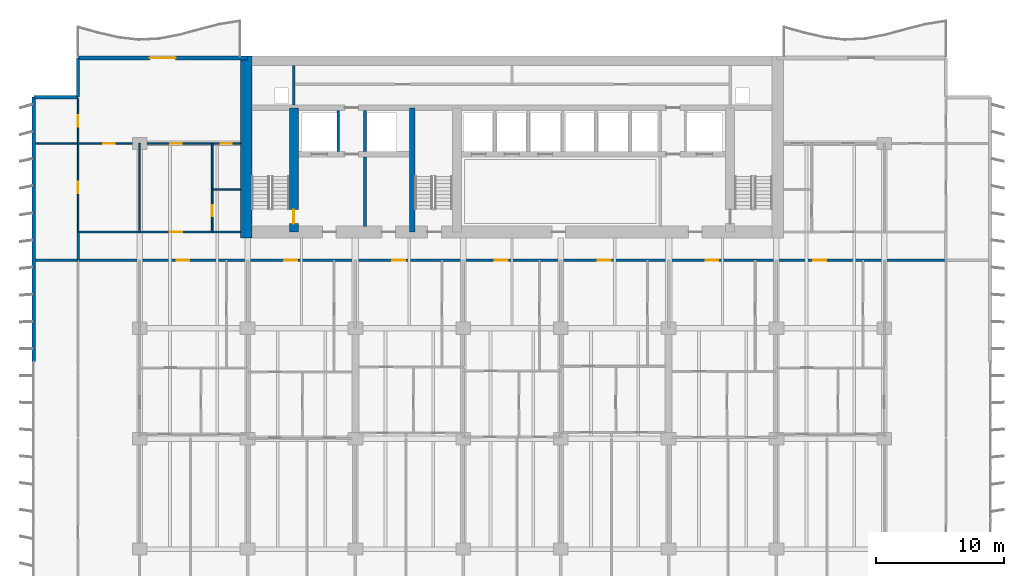
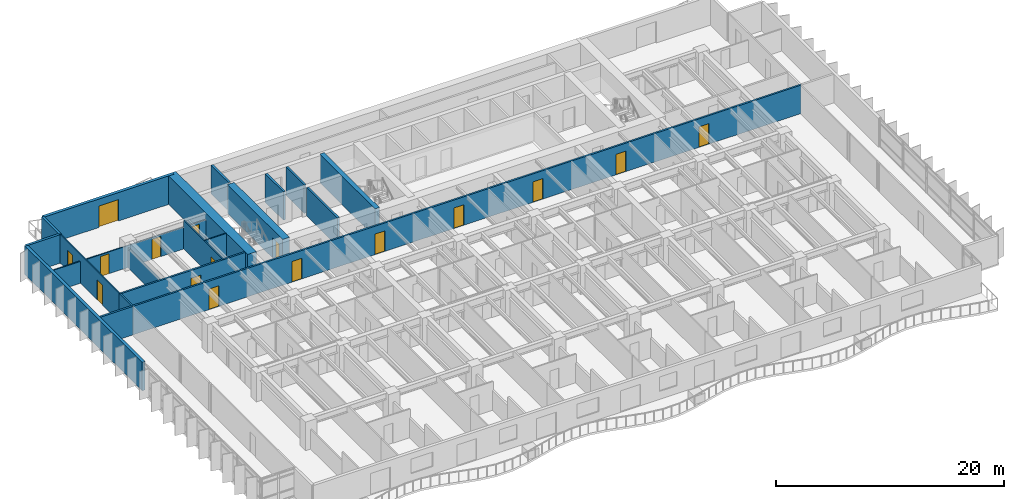
# One storey, part 11 of 18: 20 walls, 16 doors, 16 openings.
"""IFC4 building model written with IfcOpenShell, lengths in metres."""

from ifc_helpers import new_model, si_unit, direction, frame, frame_2d, origin, place, context, subcontext, project, spatial, rectangle, extrude, material, layer, layer_set, type_object, element, fill, save


model = new_model("IFC4")

# Units and contexts
model_context = context("Model", 3, precision=1e-05, world=origin(), true_north=direction((0.0, 1.0)))
body_context = subcontext(model_context, "Body", "Model", "MODEL_VIEW")
ifc_project = project(units=[si_unit("LENGTHUNIT", "METRE"), si_unit("AREAUNIT", "SQUARE_METRE"), si_unit("VOLUMEUNIT", "CUBIC_METRE"), si_unit("PLANEANGLEUNIT", "RADIAN"), si_unit("MASSUNIT", "GRAM", prefix="KILO")], contexts=[model_context])

# Site, building, storey
site_placement = place(None, origin())
site = spatial("IfcSite", under=ifc_project, at=site_placement, CompositionType="ELEMENT")
building_placement = place(site_placement, origin())
building = spatial("IfcBuilding", under=site, at=building_placement, Name="Caelmar Bay Residences", CompositionType="ELEMENT")
storey_placement = place(building_placement, frame((0.0, 0.0, 69.60009765625)))
storey = spatial("IfcBuildingStorey", under=building, at=storey_placement, Name="L18", CompositionType="ELEMENT", Elevation=69.60009765625)

# Wall, opening, door
ifc_material_1 = material(Name="Concrete f'c 55 MPa (8,000 psi)", Category="concrete")
ifc_layer_1 = layer(ifc_material_1, 0.699951171875)
ifc_layer_set_1 = layer_set([ifc_layer_1], Name="Concrete f'c 55 MPa (8,000 psi)")
wall_type_1 = type_object("IfcWallType", Name="SW-COR-700", PredefinedType="SHEAR", material=ifc_layer_set_1)
wall_1_placement = place(storey_placement, frame((21.89990234375, 36.89990234375, 0.0), z_axis=(0.0, 0.0, 1.0), x_axis=(0.0, 1.0, 0.0)))
wall_1 = element("IfcWall", 1, at=wall_1_placement, inside=storey, type_object=wall_type_1, Name="L18 Core Structural Web Wall ST1E", PredefinedType="SHEAR", context=body_context, shape_type="SweptSolid", body=[
    extrude(rectangle(XDim=9.675048828125, YDim=0.699951171875, at=frame_2d((4.83740234375, 0.0))), origin(), (0.0, 0.0, 1.0), 3.0498046875),
])
opening_1_placement = place(wall_1_placement, frame((0.64990234375, 0.0, 0.0)))
opening_1 = element("IfcOpeningElement", 2, at=opening_1_placement, cuts=wall_1, Name="Opening D-L18-108", PredefinedType="OPENING", context=body_context, shape_type="SweptSolid", body=[
    extrude(rectangle(XDim=1.10009765625, YDim=2.14990234375, at=frame_2d((0.550048828125, 1.074951171875))), frame((0.0, 0.35986328125, 0.0), z_axis=(0.0, -1.0, 0.0), x_axis=(1.0, 0.0, 0.0)), (0.0, 0.0, 1.0), 0.719970703125),
])
ifc_material_2 = material(Name="Fire-rated steel and walnut architectural door assembly", Category="steel")
ifc_layer_2 = layer(ifc_material_2, 0.050048828125)
ifc_layer_set_2 = layer_set([ifc_layer_2], Name="Fire-rated steel and walnut architectural door assembly")
door_type_1 = type_object("IfcDoorType", Name="D-STAIR-1100", OperationType="NOTDEFINED", PredefinedType="DOOR", material=ifc_layer_set_2)
door_1_placement = place(opening_1_placement, origin())
door_1 = element("IfcDoor", 3, at=door_1_placement, inside=storey, type_object=door_type_1, Name="L18 Firefighting Lobby West Door", OperationType="SINGLE_SWING_LEFT", OverallHeight=2.14990234375, OverallWidth=1.10009765625, PredefinedType="DOOR", context=body_context, shape_type="SweptSolid", body=[
    extrude(rectangle(XDim=1.10009765625, YDim=2.14990234375, at=frame_2d((0.550048828125, 1.074951171875))), frame((0.0, 0.02490234375, 0.0), z_axis=(0.0, -1.0, 0.0), x_axis=(1.0, 0.0, 0.0)), (0.0, 0.0, 1.0), 0.050048828125),
])
fill(opening_1, door_1)

# Walls
ifc_material_3 = material(Name="Concrete f'c 70 MPa (10,000 psi)", Category="concrete")
ifc_layer_3 = layer(ifc_material_3, 0.89990234375)
ifc_layer_set_3 = layer_set([ifc_layer_3], Name="Concrete f'c 70 MPa (10,000 psi)")
wall_type_2 = type_object("IfcWallType", Name="SW-COR-900", PredefinedType="SHEAR", material=ifc_layer_set_3)
wall_2_placement = place(storey_placement, frame((18.199951171875, 36.449951171875, 0.0), z_axis=(0.0, 0.0, 1.0), x_axis=(0.0, 1.0, 0.0)))
element("IfcWall", 4, at=wall_2_placement, inside=storey, type_object=wall_type_2, Name="L18 Rear Core West Shear Wall", PredefinedType="SHEAR", context=body_context, shape_type="SweptSolid", body=[
    extrude(rectangle(XDim=14.150146484375, YDim=0.89990234375, at=frame_2d((7.0751953125, 0.0))), origin(), (0.0, 0.0, 1.0), 3.0498046875),
])
ifc_layer_4 = layer(ifc_material_3, 0.449951171875)
ifc_layer_set_4 = layer_set([ifc_layer_4], Name="Concrete f'c 70 MPa (10,000 psi)")
wall_type_3 = type_object("IfcWallType", Name="SW-WEB-450", PredefinedType="SHEAR", material=ifc_layer_set_4)
wall_3_placement = place(storey_placement, frame((31.125, 36.89990234375, 0.0), z_axis=(0.0, 0.0, 1.0), x_axis=(0.0, 1.0, 0.0)))
element("IfcWall", 5, at=wall_3_placement, inside=storey, type_object=wall_type_3, Name="L18 Core Structural Web Wall ST3W", PredefinedType="SHEAR", context=body_context, shape_type="SweptSolid", body=[
    extrude(rectangle(XDim=9.675048828125, YDim=0.449951171875, at=frame_2d((4.83740234375, 0.0))), origin(), (0.0, 0.0, 1.0), 3.0498046875),
])
ifc_material_4 = material(Name="Double-stud acoustic fire-rated gypsum partition 180 mm")
ifc_layer_5 = layer(ifc_material_4, 0.179931640625)
ifc_layer_set_5 = layer_set([ifc_layer_5], Name="Double-stud acoustic fire-rated gypsum partition 180 mm")
wall_type_4 = type_object("IfcWallType", Name="W-COR-200", PredefinedType="PARTITIONING", material=ifc_layer_set_5)
wall_4_placement = place(storey_placement, frame((5.10009765625, 34.705078125, 0.0), z_axis=(0.0, 0.0, 1.0), x_axis=(0.0, 1.0, 0.0)))
element("IfcWall", 6, at=wall_4_placement, inside=storey, type_object=wall_type_4, Name="L18 Partition Wall V006", PredefinedType="PARTITIONING", context=body_context, shape_type="SweptSolid", body=[
    extrude(rectangle(XDim=2.19482421875, YDim=0.179931640625, at=frame_2d((1.097412109375, 0.0))), origin(), (0.0, 0.0, 1.0), 3.0498046875),
])

# Wall, openings, doors
wall_5_placement = place(storey_placement, frame((5.10498046875, 34.699951171875, 0.0), z_axis=(0.0, 0.0, 1.0), x_axis=(1.0, 0.0, 0.0)))
wall_5 = element("IfcWall", 7, at=wall_5_placement, inside=storey, type_object=wall_type_4, Name="L18 Partition Wall H139", PredefinedType="PARTITIONING", context=body_context, shape_type="SweptSolid", body=[
    extrude(rectangle(XDim=67.594970703125, YDim=0.179931640625, at=frame_2d((33.79736328125, 0.0))), origin(), (0.0, 0.0, 1.0), 3.0498046875),
])
opening_2_placement = place(wall_5_placement, frame((7.669921875, 0.0, 0.0)))
opening_2 = element("IfcOpeningElement", 8, at=opening_2_placement, cuts=wall_5, Name="Opening D-L18-119", PredefinedType="OPENING", context=body_context, shape_type="SweptSolid", body=[
    extrude(rectangle(XDim=1.0, YDim=2.199951171875, at=frame_2d((0.5, 1.10009765625))), frame((0.0, 0.099853515625, 0.0), z_axis=(0.0, -1.0, 0.0), x_axis=(1.0, 0.0, 0.0)), (0.0, 0.0, 1.0), 0.199951171875),
])
opening_3_placement = place(wall_5_placement, frame((16.070068359375, 0.0, 0.0)))
opening_3 = element("IfcOpeningElement", 9, at=opening_3_placement, cuts=wall_5, Name="Opening D-L18-127", PredefinedType="OPENING", context=body_context, shape_type="SweptSolid", body=[
    extrude(rectangle(XDim=1.0, YDim=2.199951171875, at=frame_2d((0.5, 1.10009765625))), frame((0.0, 0.099853515625, 0.0), z_axis=(0.0, -1.0, 0.0), x_axis=(1.0, 0.0, 0.0)), (0.0, 0.0, 1.0), 0.199951171875),
])
opening_4_placement = place(wall_5_placement, frame((24.469970703125, 0.0, 0.0)))
opening_4 = element("IfcOpeningElement", 10, at=opening_4_placement, cuts=wall_5, Name="Opening D-L18-134", PredefinedType="OPENING", context=body_context, shape_type="SweptSolid", body=[
    extrude(rectangle(XDim=1.0, YDim=2.199951171875, at=frame_2d((0.5, 1.10009765625))), frame((0.0, 0.099853515625, 0.0), z_axis=(0.0, -1.0, 0.0), x_axis=(1.0, 0.0, 0.0)), (0.0, 0.0, 1.0), 0.199951171875),
])
opening_5_placement = place(wall_5_placement, frame((32.469970703125, 0.0, 0.0)))
opening_5 = element("IfcOpeningElement", 11, at=opening_5_placement, cuts=wall_5, Name="Opening D-L18-141", PredefinedType="OPENING", context=body_context, shape_type="SweptSolid", body=[
    extrude(rectangle(XDim=1.0, YDim=2.199951171875, at=frame_2d((0.5, 1.10009765625))), frame((0.0, 0.099853515625, 0.0), z_axis=(0.0, -1.0, 0.0), x_axis=(1.0, 0.0, 0.0)), (0.0, 0.0, 1.0), 0.199951171875),
])
opening_6_placement = place(wall_5_placement, frame((40.469970703125, 0.0, 0.0)))
opening_6 = element("IfcOpeningElement", 12, at=opening_6_placement, cuts=wall_5, Name="Opening D-L18-148", PredefinedType="OPENING", context=body_context, shape_type="SweptSolid", body=[
    extrude(rectangle(XDim=1.0, YDim=2.199951171875, at=frame_2d((0.5, 1.10009765625))), frame((0.0, 0.099853515625, 0.0), z_axis=(0.0, -1.0, 0.0), x_axis=(1.0, 0.0, 0.0)), (0.0, 0.0, 1.0), 0.199951171875),
])
opening_7_placement = place(wall_5_placement, frame((48.8701171875, 0.0, 0.0)))
opening_7 = element("IfcOpeningElement", 13, at=opening_7_placement, cuts=wall_5, Name="Opening D-L18-155", PredefinedType="OPENING", context=body_context, shape_type="SweptSolid", body=[
    extrude(rectangle(XDim=1.0, YDim=2.199951171875, at=frame_2d((0.5, 1.10009765625))), frame((0.0, 0.099853515625, 0.0), z_axis=(0.0, -1.0, 0.0), x_axis=(1.0, 0.0, 0.0)), (0.0, 0.0, 1.0), 0.199951171875),
])
opening_8_placement = place(wall_5_placement, frame((57.27001953125, 0.0, 0.0)))
opening_8 = element("IfcOpeningElement", 14, at=opening_8_placement, cuts=wall_5, Name="Opening D-L18-162", PredefinedType="OPENING", context=body_context, shape_type="SweptSolid", body=[
    extrude(rectangle(XDim=1.0, YDim=2.199951171875, at=frame_2d((0.5, 1.10009765625))), frame((0.0, 0.099853515625, 0.0), z_axis=(0.0, -1.0, 0.0), x_axis=(1.0, 0.0, 0.0)), (0.0, 0.0, 1.0), 0.199951171875),
])
ifc_layer_6 = layer(ifc_material_2, 0.050048828125)
ifc_layer_set_6 = layer_set([ifc_layer_6], Name="Fire-rated steel and walnut architectural door assembly")
door_type_2 = type_object("IfcDoorType", Name="D-UNIT-1000", OperationType="NOTDEFINED", PredefinedType="DOOR", material=ifc_layer_set_6)
door_2_placement = place(opening_2_placement, origin())
door_2 = element("IfcDoor", 15, at=door_2_placement, inside=storey, type_object=door_type_2, Name="L18 Residence 01 Apartment Hall Door", OperationType="SINGLE_SWING_RIGHT", OverallHeight=2.199951171875, OverallWidth=1.0, PredefinedType="DOOR", context=body_context, shape_type="SweptSolid", body=[
    extrude(rectangle(XDim=1.0, YDim=2.199951171875, at=frame_2d((0.5, 1.10009765625))), frame((0.0, 0.02490234375, 0.0), z_axis=(0.0, -1.0, 0.0), x_axis=(1.0, 0.0, 0.0)), (0.0, 0.0, 1.0), 0.050048828125),
])
fill(opening_2, door_2)
door_3_placement = place(opening_3_placement, origin())
door_3 = element("IfcDoor", 16, at=door_3_placement, inside=storey, type_object=door_type_2, Name="L18 Residence 02 Apartment Hall Door", OperationType="SINGLE_SWING_RIGHT", OverallHeight=2.199951171875, OverallWidth=1.0, PredefinedType="DOOR", context=body_context, shape_type="SweptSolid", body=[
    extrude(rectangle(XDim=1.0, YDim=2.199951171875, at=frame_2d((0.5, 1.10009765625))), frame((0.0, 0.02490234375, 0.0), z_axis=(0.0, -1.0, 0.0), x_axis=(1.0, 0.0, 0.0)), (0.0, 0.0, 1.0), 0.050048828125),
])
fill(opening_3, door_3)
door_4_placement = place(opening_4_placement, origin())
door_4 = element("IfcDoor", 17, at=door_4_placement, inside=storey, type_object=door_type_2, Name="L18 Residence 03 Apartment Hall Door", OperationType="SINGLE_SWING_LEFT", OverallHeight=2.199951171875, OverallWidth=1.0, PredefinedType="DOOR", context=body_context, shape_type="SweptSolid", body=[
    extrude(rectangle(XDim=1.0, YDim=2.199951171875, at=frame_2d((0.5, 1.10009765625))), frame((0.0, 0.02490234375, 0.0), z_axis=(0.0, -1.0, 0.0), x_axis=(1.0, 0.0, 0.0)), (0.0, 0.0, 1.0), 0.050048828125),
])
fill(opening_4, door_4)
door_5_placement = place(opening_5_placement, origin())
door_5 = element("IfcDoor", 18, at=door_5_placement, inside=storey, type_object=door_type_2, Name="L18 Residence 04 Apartment Hall Door", OperationType="SINGLE_SWING_RIGHT", OverallHeight=2.199951171875, OverallWidth=1.0, PredefinedType="DOOR", context=body_context, shape_type="SweptSolid", body=[
    extrude(rectangle(XDim=1.0, YDim=2.199951171875, at=frame_2d((0.5, 1.10009765625))), frame((0.0, 0.02490234375, 0.0), z_axis=(0.0, -1.0, 0.0), x_axis=(1.0, 0.0, 0.0)), (0.0, 0.0, 1.0), 0.050048828125),
])
fill(opening_5, door_5)
door_6_placement = place(opening_6_placement, origin())
door_6 = element("IfcDoor", 19, at=door_6_placement, inside=storey, type_object=door_type_2, Name="L18 Residence 05 Apartment Hall Door", OperationType="SINGLE_SWING_LEFT", OverallHeight=2.199951171875, OverallWidth=1.0, PredefinedType="DOOR", context=body_context, shape_type="SweptSolid", body=[
    extrude(rectangle(XDim=1.0, YDim=2.199951171875, at=frame_2d((0.5, 1.10009765625))), frame((0.0, 0.02490234375, 0.0), z_axis=(0.0, -1.0, 0.0), x_axis=(1.0, 0.0, 0.0)), (0.0, 0.0, 1.0), 0.050048828125),
])
fill(opening_6, door_6)
door_7_placement = place(opening_7_placement, origin())
door_7 = element("IfcDoor", 20, at=door_7_placement, inside=storey, type_object=door_type_2, Name="L18 Residence 06 Apartment Hall Door", OperationType="SINGLE_SWING_RIGHT", OverallHeight=2.199951171875, OverallWidth=1.0, PredefinedType="DOOR", context=body_context, shape_type="SweptSolid", body=[
    extrude(rectangle(XDim=1.0, YDim=2.199951171875, at=frame_2d((0.5, 1.10009765625))), frame((0.0, 0.02490234375, 0.0), z_axis=(0.0, -1.0, 0.0), x_axis=(1.0, 0.0, 0.0)), (0.0, 0.0, 1.0), 0.050048828125),
])
fill(opening_7, door_7)
door_8_placement = place(opening_8_placement, origin())
door_8 = element("IfcDoor", 21, at=door_8_placement, inside=storey, type_object=door_type_2, Name="L18 Residence 07 Apartment Hall Door", OperationType="SINGLE_SWING_LEFT", OverallHeight=2.199951171875, OverallWidth=1.0, PredefinedType="DOOR", context=body_context, shape_type="SweptSolid", body=[
    extrude(rectangle(XDim=1.0, YDim=2.199951171875, at=frame_2d((0.5, 1.10009765625))), frame((0.0, 0.02490234375, 0.0), z_axis=(0.0, -1.0, 0.0), x_axis=(1.0, 0.0, 0.0)), (0.0, 0.0, 1.0), 0.050048828125),
])
fill(opening_8, door_8)

# Wall, opening, door
wall_6_placement = place(storey_placement, frame((5.10009765625, 36.89990234375, 0.0), z_axis=(0.0, 0.0, 1.0), x_axis=(1.0, 0.0, 0.0)))
wall_6 = element("IfcWall", 22, at=wall_6_placement, inside=storey, type_object=wall_type_4, Name="L18 Partition Wall H141", PredefinedType="PARTITIONING", context=body_context, shape_type="SweptSolid", body=[
    extrude(rectangle(XDim=12.64501953125, YDim=0.179931640625, at=frame_2d((6.322509765625, 0.0))), origin(), (0.0, 0.0, 1.0), 3.0498046875),
])
opening_9_placement = place(wall_6_placement, frame((7.125, 0.0, 0.0)))
opening_9 = element("IfcOpeningElement", 23, at=opening_9_placement, cuts=wall_6, Name="Opening D-L18-173", PredefinedType="OPENING", context=body_context, shape_type="SweptSolid", body=[
    extrude(rectangle(XDim=1.0, YDim=2.199951171875, at=frame_2d((0.5, 1.10009765625))), frame((0.0, 0.099853515625, 0.0), z_axis=(0.0, -1.0, 0.0), x_axis=(1.0, 0.0, 0.0)), (0.0, 0.0, 1.0), 0.199951171875),
])
door_9_placement = place(opening_9_placement, origin())
door_9 = element("IfcDoor", 24, at=door_9_placement, inside=storey, type_object=door_type_2, Name="L18 Residence WA Kitchen Door", OperationType="SINGLE_SWING_RIGHT", OverallHeight=2.199951171875, OverallWidth=1.0, PredefinedType="DOOR", context=body_context, shape_type="SweptSolid", body=[
    extrude(rectangle(XDim=1.0, YDim=2.199951171875, at=frame_2d((0.5, 1.10009765625))), frame((0.0, 0.02490234375, 0.0), z_axis=(0.0, -1.0, 0.0), x_axis=(1.0, 0.0, 0.0)), (0.0, 0.0, 1.0), 0.050048828125),
])
fill(opening_9, door_9)

# Walls
ifc_material_5 = material(Name="Precast concrete f'c 40 MPa (6,000 psi)", Category="concrete")
ifc_layer_7 = layer(ifc_material_5, 0.25)
ifc_layer_set_7 = layer_set([ifc_layer_7], Name="Precast concrete f'c 40 MPa (6,000 psi)")
wall_type_5 = type_object("IfcWallType", Name="W-EXT-250", PredefinedType="ELEMENTEDWALL", material=ifc_layer_set_7)
wall_7_placement = place(storey_placement, frame((1.64990234375, 47.39990234375, 0.0), z_axis=(0.0, 0.0, 1.0), x_axis=(1.0, 0.0, 0.0)))
element("IfcWall", 25, at=wall_7_placement, inside=storey, type_object=wall_type_5, Name="L18 NNW-H Notch Wall", PredefinedType="ELEMENTEDWALL", context=body_context, shape_type="SweptSolid", body=[
    extrude(rectangle(XDim=3.4501953125, YDim=0.25, at=frame_2d((1.72509765625, 0.0))), origin(), (0.0, 0.0, 1.0), 3.0498046875),
])
wall_8_placement = place(storey_placement, frame((5.10009765625, 47.39990234375, 0.0), z_axis=(0.0, 0.0, 1.0), x_axis=(0.0, 1.0, 0.0)))
element("IfcWall", 26, at=wall_8_placement, inside=storey, type_object=wall_type_5, Name="L18 NNW-V Notch Wall", PredefinedType="ELEMENTEDWALL", context=body_context, shape_type="SweptSolid", body=[
    extrude(rectangle(XDim=3.050048828125, YDim=0.25, at=frame_2d((1.52490234375, 0.0))), origin(), (0.0, 0.0, 1.0), 3.0498046875),
])
ifc_layer_8 = layer(ifc_material_5, 0.300048828125)
ifc_layer_set_8 = layer_set([ifc_layer_8], Name="Precast concrete f'c 40 MPa (6,000 psi)")
wall_type_6 = type_object("IfcWallType", Name="W-EXT-300", PredefinedType="STANDARD", material=ifc_layer_set_8)
wall_9_placement = place(storey_placement, frame((1.64990234375, 26.800048828125, 0.0), z_axis=(0.0, 0.0, 1.0), x_axis=(0.0, 1.0, 0.0)))
element("IfcWall", 27, at=wall_9_placement, inside=storey, type_object=wall_type_6, Name="L18 West Rear Exterior Wall", PredefinedType="STANDARD", context=body_context, shape_type="SweptSolid", body=[
    extrude(rectangle(XDim=20.599853515625, YDim=0.300048828125, at=frame_2d((10.2998046875, 0.0))), origin(), (0.0, 0.0, 1.0), 3.0498046875),
])

# Wall, opening, door
wall_10_placement = place(storey_placement, frame((5.10009765625, 50.449951171875, 0.0), z_axis=(0.0, 0.0, 1.0), x_axis=(1.0, 0.0, 0.0)))
wall_10 = element("IfcWall", 28, at=wall_10_placement, inside=storey, type_object=wall_type_6, Name="L18 North-West Wing Exterior Wall", PredefinedType="STANDARD", context=body_context, shape_type="SweptSolid", body=[
    extrude(rectangle(XDim=13.199951171875, YDim=0.300048828125, at=frame_2d((6.60009765625, 0.0))), origin(), (0.0, 0.0, 1.0), 3.0498046875),
])
opening_10_placement = place(wall_10_placement, frame((5.60009765625, 0.0, 0.0)))
opening_10 = element("IfcOpeningElement", 29, at=opening_10_placement, cuts=wall_10, Name="Opening L18-BDNW", PredefinedType="OPENING", context=body_context, shape_type="SweptSolid", body=[
    extrude(rectangle(XDim=2.0, YDim=2.300048828125, at=frame_2d((1.0, 1.14990234375))), frame((0.0, 0.159912109375, 0.0), z_axis=(0.0, -1.0, 0.0), x_axis=(1.0, 0.0, 0.0)), (0.0, 0.0, 1.0), 0.320068359375),
])
ifc_material_6 = material(Name="Anodised bronze thermally broken sliding glass door", Category="glass")
ifc_layer_9 = layer(ifc_material_6, 0.050048828125)
ifc_layer_set_9 = layer_set([ifc_layer_9], Name="Anodised bronze thermally broken sliding glass door")
door_type_3 = type_object("IfcDoorType", Name="D-BAL-2000", OperationType="DOUBLE_DOOR_SLIDING", PredefinedType="DOOR", material=ifc_layer_set_9)
door_10_placement = place(opening_10_placement, origin())
door_10 = element("IfcDoor", 30, at=door_10_placement, inside=storey, type_object=door_type_3, Name="L18 North-West Balcony Door", OperationType="DOUBLE_DOOR_SLIDING", OverallHeight=2.300048828125, OverallWidth=2.0, PredefinedType="DOOR", context=body_context, shape_type="SweptSolid", body=[
    extrude(rectangle(XDim=2.0, YDim=2.300048828125, at=frame_2d((1.0, 1.14990234375))), frame((0.0, 0.02490234375, 0.0), z_axis=(0.0, -1.0, 0.0), x_axis=(1.0, 0.0, 0.0)), (0.0, 0.0, 1.0), 0.050048828125),
])
fill(opening_10, door_10)

# Walls
ifc_material_7 = material(Name="Fire-rated masonry and gypsum shaftliner assembly 200 mm", Category="masonry")
ifc_layer_10 = layer(ifc_material_7, 0.199951171875)
ifc_layer_set_10 = layer_set([ifc_layer_10], Name="Fire-rated masonry and gypsum shaftliner assembly 200 mm")
wall_type_7 = type_object("IfcWallType", Name="W-FSAE-200", PredefinedType="PARTITIONING", material=ifc_layer_set_10)
wall_11_placement = place(storey_placement, frame((21.89990234375, 46.794921875, 0.0), z_axis=(0.0, 0.0, 1.0), x_axis=(0.0, 1.0, 0.0)))
element("IfcWall", 31, at=wall_11_placement, inside=storey, type_object=wall_type_7, Name="L18 Partition Wall V028", PredefinedType="PARTITIONING", context=body_context, shape_type="SweptSolid", body=[
    extrude(rectangle(XDim=3.06005859375, YDim=0.199951171875, at=frame_2d((1.530029296875, 0.0))), origin(), (0.0, 0.0, 1.0), 3.0498046875),
])
wall_12_placement = place(storey_placement, frame((25.35009765625, 43.169921875, 0.0), z_axis=(0.0, 0.0, 1.0), x_axis=(0.0, 1.0, 0.0)))
element("IfcWall", 32, at=wall_12_placement, inside=storey, type_object=wall_type_7, Name="L18 Partition Wall V035", PredefinedType="PARTITIONING", context=body_context, shape_type="SweptSolid", body=[
    extrude(rectangle(XDim=3.18505859375, YDim=0.199951171875, at=frame_2d((1.592529296875, 0.0))), origin(), (0.0, 0.0, 1.0), 3.0498046875),
])
wall_13_placement = place(storey_placement, frame((27.449951171875, 37.344970703125, 0.0), z_axis=(0.0, 0.0, 1.0), x_axis=(0.0, 1.0, 0.0)))
element("IfcWall", 33, at=wall_13_placement, inside=storey, type_object=wall_type_7, Name="L18 Partition Wall V039", PredefinedType="PARTITIONING", context=body_context, shape_type="SweptSolid", body=[
    extrude(rectangle(XDim=5.385009765625, YDim=0.199951171875, at=frame_2d((2.6923828125, 0.0))), origin(), (0.0, 0.0, 1.0), 3.0498046875),
])
wall_14_placement = place(storey_placement, frame((27.449951171875, 43.169921875, 0.0), z_axis=(0.0, 0.0, 1.0), x_axis=(0.0, 1.0, 0.0)))
element("IfcWall", 34, at=wall_14_placement, inside=storey, type_object=wall_type_7, Name="L18 Partition Wall V040", PredefinedType="PARTITIONING", context=body_context, shape_type="SweptSolid", body=[
    extrude(rectangle(XDim=3.18505859375, YDim=0.199951171875, at=frame_2d((1.592529296875, 0.0))), origin(), (0.0, 0.0, 1.0), 3.0498046875),
])

# Wall, openings, doors
ifc_material_8 = material(Name="Acoustic metal-stud gypsum partition 120 mm")
ifc_layer_11 = layer(ifc_material_8, 0.1201171875)
ifc_layer_set_11 = layer_set([ifc_layer_11], Name="Acoustic metal-stud gypsum partition 120 mm")
wall_type_8 = type_object("IfcWallType", Name="W-PRT-120", PredefinedType="PARTITIONING", material=ifc_layer_set_11)
wall_15_placement = place(storey_placement, frame((5.10009765625, 36.905029296875, 0.0), z_axis=(0.0, 0.0, 1.0), x_axis=(0.0, 1.0, 0.0)))
wall_15 = element("IfcWall", 35, at=wall_15_placement, inside=storey, type_object=wall_type_8, Name="L18 Partition Wall V007", PredefinedType="PARTITIONING", context=body_context, shape_type="SweptSolid", body=[
    extrude(rectangle(XDim=10.375, YDim=0.1201171875, at=frame_2d((5.1875, 0.0))), origin(), (0.0, 0.0, 1.0), 3.0498046875),
])
opening_11_placement = place(wall_15_placement, frame((2.99755859375, 0.0, 0.0)))
opening_11 = element("IfcOpeningElement", 36, at=opening_11_placement, cuts=wall_15, Name="Opening D-L18-177", PredefinedType="OPENING", context=body_context, shape_type="SweptSolid", body=[
    extrude(rectangle(XDim=0.89990234375, YDim=2.14990234375, at=frame_2d((0.449951171875, 1.074951171875))), frame((0.0, 0.070068359375, 0.0), z_axis=(0.0, -1.0, 0.0), x_axis=(1.0, 0.0, 0.0)), (0.0, 0.0, 1.0), 0.14013671875),
])
opening_12_placement = place(wall_15_placement, frame((8.18505859375, 0.0, 0.0)))
opening_12 = element("IfcOpeningElement", 37, at=opening_12_placement, cuts=wall_15, Name="Opening D-L18-178", PredefinedType="OPENING", context=body_context, shape_type="SweptSolid", body=[
    extrude(rectangle(XDim=0.89990234375, YDim=2.14990234375, at=frame_2d((0.449951171875, 1.074951171875))), frame((0.0, 0.070068359375, 0.0), z_axis=(0.0, -1.0, 0.0), x_axis=(1.0, 0.0, 0.0)), (0.0, 0.0, 1.0), 0.14013671875),
])
ifc_material_9 = material(Name="Solid walnut timber interior door leaf and frame", Category="wood")
ifc_layer_12 = layer(ifc_material_9, 0.050048828125)
ifc_layer_set_12 = layer_set([ifc_layer_12], Name="Solid walnut timber interior door leaf and frame")
door_type_4 = type_object("IfcDoorType", Name="D-ROOM-900", OperationType="NOTDEFINED", PredefinedType="DOOR", material=ifc_layer_set_12)
door_11_placement = place(opening_11_placement, origin())
door_11 = element("IfcDoor", 38, at=door_11_placement, inside=storey, type_object=door_type_4, Name="L18 Residence WA Sun Study Door", OperationType="SINGLE_SWING_RIGHT", OverallHeight=2.14990234375, OverallWidth=0.89990234375, PredefinedType="DOOR", context=body_context, shape_type="SweptSolid", body=[
    extrude(rectangle(XDim=0.89990234375, YDim=2.14990234375, at=frame_2d((0.449951171875, 1.074951171875))), frame((0.0, 0.02490234375, 0.0), z_axis=(0.0, -1.0, 0.0), x_axis=(1.0, 0.0, 0.0)), (0.0, 0.0, 1.0), 0.050048828125),
])
fill(opening_11, door_11)
door_12_placement = place(opening_12_placement, origin())
door_12 = element("IfcDoor", 39, at=door_12_placement, inside=storey, type_object=door_type_4, Name="L18 Residence WA North Sitting Alcove Door", OperationType="SINGLE_SWING_LEFT", OverallHeight=2.14990234375, OverallWidth=0.89990234375, PredefinedType="DOOR", context=body_context, shape_type="SweptSolid", body=[
    extrude(rectangle(XDim=0.89990234375, YDim=2.14990234375, at=frame_2d((0.449951171875, 1.074951171875))), frame((0.0, 0.02490234375, 0.0), z_axis=(0.0, -1.0, 0.0), x_axis=(1.0, 0.0, 0.0)), (0.0, 0.0, 1.0), 0.050048828125),
])
fill(opening_12, door_12)

# Wall
wall_16_placement = place(storey_placement, frame((9.89990234375, 36.89990234375, 0.0), z_axis=(0.0, 0.0, 1.0), x_axis=(0.0, 1.0, 0.0)))
element("IfcWall", 40, at=wall_16_placement, inside=storey, type_object=wall_type_8, Name="L18 Partition Wall V014", PredefinedType="PARTITIONING", context=body_context, shape_type="SweptSolid", body=[
    extrude(rectangle(XDim=6.900146484375, YDim=0.1201171875, at=frame_2d((3.4501953125, 0.0))), origin(), (0.0, 0.0, 1.0), 2.10986328125),
])

# Wall, opening, door
wall_17_placement = place(storey_placement, frame((15.550048828125, 36.89990234375, 0.0), z_axis=(0.0, 0.0, 1.0), x_axis=(0.0, 1.0, 0.0)))
wall_17 = element("IfcWall", 41, at=wall_17_placement, inside=storey, type_object=wall_type_8, Name="L18 Partition Wall V020", PredefinedType="PARTITIONING", context=body_context, shape_type="SweptSolid", body=[
    extrude(rectangle(XDim=6.900146484375, YDim=0.1201171875, at=frame_2d((3.4501953125, 0.0))), origin(), (0.0, 0.0, 1.0), 3.0498046875),
])
opening_13_placement = place(wall_17_placement, frame((1.23095703125, 0.0, 0.0)))
opening_13 = element("IfcOpeningElement", 42, at=opening_13_placement, cuts=wall_17, Name="Opening D-L18-175", PredefinedType="OPENING", context=body_context, shape_type="SweptSolid", body=[
    extrude(rectangle(XDim=0.85009765625, YDim=2.10009765625, at=frame_2d((0.425048828125, 1.050048828125))), frame((0.0, 0.070068359375, 0.0), z_axis=(0.0, -1.0, 0.0), x_axis=(1.0, 0.0, 0.0)), (0.0, 0.0, 1.0), 0.14013671875),
])
ifc_layer_13 = layer(ifc_material_9, 0.050048828125)
ifc_layer_set_13 = layer_set([ifc_layer_13], Name="Solid walnut timber interior door leaf and frame")
door_type_5 = type_object("IfcDoorType", Name="D-BATH-850", OperationType="NOTDEFINED", PredefinedType="DOOR", material=ifc_layer_set_13)
door_13_placement = place(opening_13_placement, origin())
door_13 = element("IfcDoor", 43, at=door_13_placement, inside=storey, type_object=door_type_5, Name="L18 Residence WA Walk-In Closet Door", OperationType="SINGLE_SWING_RIGHT", OverallHeight=2.10009765625, OverallWidth=0.85009765625, PredefinedType="DOOR", context=body_context, shape_type="SweptSolid", body=[
    extrude(rectangle(XDim=0.85009765625, YDim=2.10009765625, at=frame_2d((0.425048828125, 1.050048828125))), frame((0.0, 0.02490234375, 0.0), z_axis=(0.0, -1.0, 0.0), x_axis=(1.0, 0.0, 0.0)), (0.0, 0.0, 1.0), 0.050048828125),
])
fill(opening_13, door_13)

# Wall
wall_18_placement = place(storey_placement, frame((15.550048828125, 40.2119140625, 0.0), z_axis=(0.0, 0.0, 1.0), x_axis=(1.0, 0.0, 0.0)))
element("IfcWall", 44, at=wall_18_placement, inside=storey, type_object=wall_type_8, Name="L18 Partition Wall H143", PredefinedType="PARTITIONING", context=body_context, shape_type="SweptSolid", body=[
    extrude(rectangle(XDim=2.204833984375, YDim=0.1201171875, at=frame_2d((1.1025390625, 0.0))), origin(), (0.0, 0.0, 1.0), 3.0498046875),
])

# Wall, openings, doors
wall_19_placement = place(storey_placement, frame((1.794921875, 43.800048828125, 0.0), z_axis=(0.0, 0.0, 1.0), x_axis=(1.0, 0.0, 0.0)))
wall_19 = element("IfcWall", 45, at=wall_19_placement, inside=storey, type_object=wall_type_8, Name="L18 Partition Wall H145", PredefinedType="PARTITIONING", context=body_context, shape_type="SweptSolid", body=[
    extrude(rectangle(XDim=15.9599609375, YDim=0.1201171875, at=frame_2d((7.97998046875, 0.0))), origin(), (0.0, 0.0, 1.0), 2.3388671875),
])
opening_14_placement = place(wall_19_placement, frame((5.2548828125, 0.0, 0.0)))
opening_14 = element("IfcOpeningElement", 46, at=opening_14_placement, cuts=wall_19, Name="Opening D-L18-172", PredefinedType="OPENING", context=body_context, shape_type="SweptSolid", body=[
    extrude(rectangle(XDim=0.89990234375, YDim=2.14990234375, at=frame_2d((0.449951171875, 1.074951171875))), frame((0.0, 0.070068359375, 0.0), z_axis=(0.0, -1.0, 0.0), x_axis=(1.0, 0.0, 0.0)), (0.0, 0.0, 1.0), 0.14013671875),
])
opening_15_placement = place(wall_19_placement, frame((10.47998046875, 0.0, 0.0)))
opening_15 = element("IfcOpeningElement", 47, at=opening_15_placement, cuts=wall_19, Name="Opening D-L18-174", PredefinedType="OPENING", context=body_context, shape_type="SweptSolid", body=[
    extrude(rectangle(XDim=0.89990234375, YDim=2.14990234375, at=frame_2d((0.449951171875, 1.074951171875))), frame((0.0, 0.070068359375, 0.0), z_axis=(0.0, -1.0, 0.0), x_axis=(1.0, 0.0, 0.0)), (0.0, 0.0, 1.0), 0.14013671875),
])
opening_16_placement = place(wall_19_placement, frame((14.4326171875, 0.0, 0.0)))
opening_16 = element("IfcOpeningElement", 48, at=opening_16_placement, cuts=wall_19, Name="Opening D-L18-176", PredefinedType="OPENING", context=body_context, shape_type="SweptSolid", body=[
    extrude(rectangle(XDim=0.85009765625, YDim=2.10009765625, at=frame_2d((0.425048828125, 1.050048828125))), frame((0.0, 0.070068359375, 0.0), z_axis=(0.0, -1.0, 0.0), x_axis=(1.0, 0.0, 0.0)), (0.0, 0.0, 1.0), 0.14013671875),
])
door_14_placement = place(opening_16_placement, origin())
door_14 = element("IfcDoor", 49, at=door_14_placement, inside=storey, type_object=door_type_5, Name="L18 Residence WA Bathroom Door", OperationType="SINGLE_SWING_LEFT", OverallHeight=2.10009765625, OverallWidth=0.85009765625, PredefinedType="DOOR", context=body_context, shape_type="SweptSolid", body=[
    extrude(rectangle(XDim=0.85009765625, YDim=2.10009765625, at=frame_2d((0.425048828125, 1.050048828125))), frame((0.0, 0.02490234375, 0.0), z_axis=(0.0, -1.0, 0.0), x_axis=(1.0, 0.0, 0.0)), (0.0, 0.0, 1.0), 0.050048828125),
])
fill(opening_16, door_14)
door_15_placement = place(opening_14_placement, origin())
door_15 = element("IfcDoor", 50, at=door_15_placement, inside=storey, type_object=door_type_4, Name="L18 Residence WA Study Door", OperationType="SINGLE_SWING_LEFT", OverallHeight=2.14990234375, OverallWidth=0.89990234375, PredefinedType="DOOR", context=body_context, shape_type="SweptSolid", body=[
    extrude(rectangle(XDim=0.89990234375, YDim=2.14990234375, at=frame_2d((0.449951171875, 1.074951171875))), frame((0.0, 0.02490234375, 0.0), z_axis=(0.0, -1.0, 0.0), x_axis=(1.0, 0.0, 0.0)), (0.0, 0.0, 1.0), 0.050048828125),
])
fill(opening_14, door_15)
door_16_placement = place(opening_15_placement, origin())
door_16 = element("IfcDoor", 51, at=door_16_placement, inside=storey, type_object=door_type_4, Name="L18 Residence WA Studio Living and Sleeping Room Door", OperationType="SINGLE_SWING_LEFT", OverallHeight=2.14990234375, OverallWidth=0.89990234375, PredefinedType="DOOR", context=body_context, shape_type="SweptSolid", body=[
    extrude(rectangle(XDim=0.89990234375, YDim=2.14990234375, at=frame_2d((0.449951171875, 1.074951171875))), frame((0.0, 0.02490234375, 0.0), z_axis=(0.0, -1.0, 0.0), x_axis=(1.0, 0.0, 0.0)), (0.0, 0.0, 1.0), 0.050048828125),
])
fill(opening_15, door_16)

# Wall
ifc_material_10 = material(Name="Acoustic twin-stud fire-rated inter-tenancy partition 200 mm")
ifc_layer_14 = layer(ifc_material_10, 0.199951171875)
ifc_layer_set_14 = layer_set([ifc_layer_14], Name="Acoustic twin-stud fire-rated inter-tenancy partition 200 mm")
wall_type_9 = type_object("IfcWallType", Name="W-PTY-200", PredefinedType="PARTITIONING", material=ifc_layer_set_14)
wall_20_placement = place(storey_placement, frame((1.794921875, 34.699951171875, 0.0), z_axis=(0.0, 0.0, 1.0), x_axis=(1.0, 0.0, 0.0)))
element("IfcWall", 52, at=wall_20_placement, inside=storey, type_object=wall_type_9, Name="L18 Partition Wall H138", PredefinedType="PARTITIONING", context=body_context, shape_type="SweptSolid", body=[
    extrude(rectangle(XDim=3.30517578125, YDim=0.199951171875, at=frame_2d((1.652587890625, 0.0))), origin(), (0.0, 0.0, 1.0), 3.0498046875),
])

save(model, "model.ifc")
